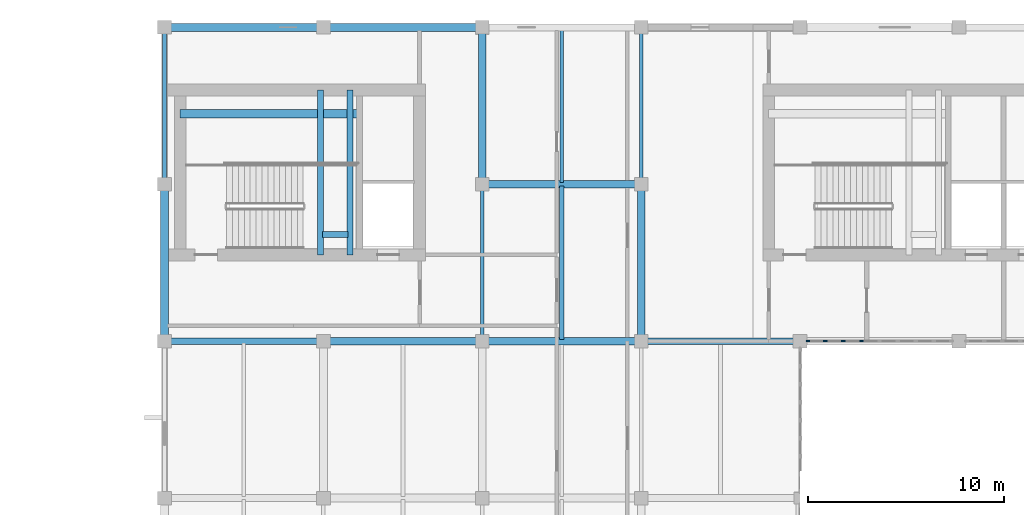
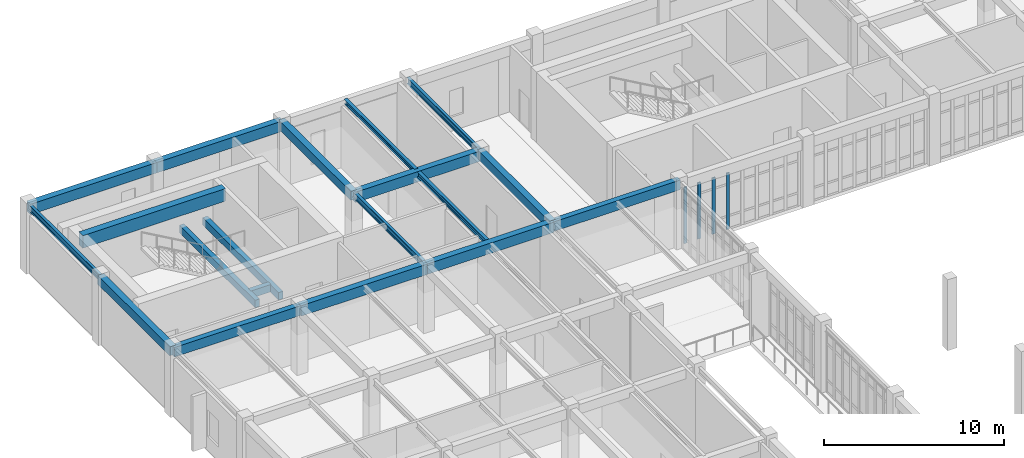
# One storey, part 13 of 61: 19 beams, 4 members, 1 element without a shape of its own.
"""IFC4 building model written with IfcOpenShell, lengths in metres."""

from ifc_helpers import new_model, si_unit, direction, frame, origin, origin_2d, place, context, subcontext, project, spatial, rectangle, i_section, extrude, material, material_profile, profile_set, type_object, element, aggregate, save


model = new_model("IFC4")

# Units and contexts
model_context = context("Model", 3, precision=1e-05, world=origin(), true_north=direction((0.0, 1.0)))
body_context = subcontext(model_context, "Body", "Model", "MODEL_VIEW")
ifc_project = project(units=[si_unit("LENGTHUNIT", "METRE"), si_unit("AREAUNIT", "SQUARE_METRE"), si_unit("VOLUMEUNIT", "CUBIC_METRE"), si_unit("PLANEANGLEUNIT", "RADIAN"), si_unit("MASSUNIT", "GRAM", prefix="KILO")], contexts=[model_context])

# Site, building, storey
site_placement = place(None, origin())
site = spatial("IfcSite", under=ifc_project, at=site_placement, CompositionType="ELEMENT")
building_placement = place(site_placement, origin())
building = spatial("IfcBuilding", under=site, at=building_placement, Name="Tarnveldt Square Police Headquarters", CompositionType="ELEMENT")
storey_placement = place(building_placement, frame((0.0, 0.0, 5.39990234375)))
storey = spatial("IfcBuildingStorey", under=building, at=storey_placement, Name="L01", CompositionType="ELEMENT", Elevation=5.39990234375)

# Beams
ifc_material_1 = material(Name="Concrete 50 MPa", Category="concrete")
ifc_material_profile_1 = material_profile(ifc_material_1, rectangle(XDim=0.449951171875, YDim=0.85009765625, at=origin_2d()), Name="RC-CB450x850")
ifc_profile_set_1 = profile_set([ifc_material_profile_1], Name="Concrete 50 MPa")
beam_type_1 = type_object("IfcBeamType", Name="BM-CB450x850", PredefinedType="BEAM", material=ifc_profile_set_1)
beam_1_placement = place(storey_placement, frame((17.0, 107.60009765625, 4.375), z_axis=(1.0, 0.0, 0.0), x_axis=(0.0, 1.0, 0.0)))
element("IfcBeam", 1, at=beam_1_placement, inside=storey, type_object=beam_type_1, Name="Core K2 North-West Operations Core L01 Ductile Coupling Beam", PredefinedType="BEAM", context=body_context, shape_type="SweptSolid", body=[
    extrude(rectangle(XDim=0.449951171875, YDim=0.85009765625, at=origin_2d()), origin(), (0.0, 0.0, 1.0), 9.14990234375),
])
ifc_material_2 = material(Name="Concrete 40 MPa", Category="concrete")
ifc_material_profile_2 = material_profile(ifc_material_2, rectangle(XDim=0.300048828125, YDim=0.5, at=origin_2d()), Name="RC-B300x500")
ifc_profile_set_2 = profile_set([ifc_material_profile_2], Name="Concrete 40 MPa")
beam_type_2 = type_object("IfcBeamType", Name="BM-RC300x500", PredefinedType="BEAM", material=ifc_profile_set_2)
beam_2_placement = place(storey_placement, frame((24.14990234375, 100.39990234375, 1.9501953125), z_axis=(0.0, 1.0, 0.0), x_axis=(-1.0, 0.0, 0.0)))
element("IfcBeam", 2, at=beam_2_placement, inside=storey, type_object=beam_type_2, Name="ST2 L01 Half-Landing Support Beam 1", PredefinedType="BEAM", context=body_context, shape_type="SweptSolid", body=[
    extrude(rectangle(XDim=0.300048828125, YDim=0.5, at=origin_2d()), origin(), (0.0, 0.0, 1.0), 8.400146484375),
])
beam_3_placement = place(storey_placement, frame((24.25, 101.449951171875, 1.9501953125), z_axis=(1.0, 0.0, 0.0), x_axis=(0.0, 1.0, 0.0)))
element("IfcBeam", 3, at=beam_3_placement, inside=storey, type_object=beam_type_2, Name="ST2 L01 Half-Landing Support Beam 2", PredefinedType="BEAM", context=body_context, shape_type="SweptSolid", body=[
    extrude(rectangle(XDim=0.300048828125, YDim=0.5, at=origin_2d()), origin(), (0.0, 0.0, 1.0), 1.300048828125),
])
beam_4_placement = place(storey_placement, frame((25.64990234375, 100.39990234375, 1.9501953125), z_axis=(0.0, 1.0, 0.0), x_axis=(-1.0, 0.0, 0.0)))
element("IfcBeam", 4, at=beam_4_placement, inside=storey, type_object=beam_type_2, Name="ST2 L01 Half-Landing Transverse Support Beam", PredefinedType="BEAM", context=body_context, shape_type="SweptSolid", body=[
    extrude(rectangle(XDim=0.300048828125, YDim=0.5, at=origin_2d()), origin(), (0.0, 0.0, 1.0), 8.400146484375),
])
ifc_material_profile_3 = material_profile(ifc_material_2, rectangle(XDim=0.39990234375, YDim=0.60009765625, at=origin_2d()), Name="RC-B400x600")
ifc_profile_set_3 = profile_set([ifc_material_profile_3], Name="Concrete 40 MPa")
beam_type_3 = type_object("IfcBeamType", Name="BM-RC400x600", PredefinedType="BEAM", material=ifc_profile_set_3)
for number, where, z_axis, x_axis, name in (
    (5, (16.199951171875, 96.0, 4.22021484375), (0.0, 1.0, 0.0), (-1.0, 0.0, 0.0), "L02 Grid Girder Y-0583"),
    (6, (32.39990234375, 104.0, 4.22021484375), (0.0, 1.0, 0.0), (-1.0, 0.0, 0.0), "L02 Grid Girder Y-0603"),
    (7, (40.5, 96.0, 4.22021484375), (0.0, 1.0, 0.0), (-1.0, 0.0, 0.0), "L02 Grid Girder Y-0615"),
):
    element("IfcBeam", number, at=place(storey_placement, frame(where, z_axis=z_axis, x_axis=x_axis)), inside=storey, type_object=beam_type_3, Name=name, PredefinedType="BEAM", context=body_context, shape_type="SweptSolid", body=[
        extrude(rectangle(XDim=0.39990234375, YDim=0.60009765625, at=origin_2d()), origin(), (0.0, 0.0, 1.0), 8.0),
    ])
ifc_material_profile_4 = material_profile(ifc_material_2, rectangle(XDim=0.39990234375, YDim=0.699951171875, at=origin_2d()), Name="RC-B400x700")
ifc_profile_set_4 = profile_set([ifc_material_profile_4], Name="Concrete 40 MPa")
beam_type_4 = type_object("IfcBeamType", Name="BM-RC400x700", PredefinedType="BEAM", material=ifc_profile_set_4)
beam_5_placement = place(storey_placement, frame((24.300048828125, 96.0, 4.170166015625), z_axis=(1.0, 0.0, 0.0), x_axis=(0.0, 1.0, 0.0)))
element("IfcBeam", 8, at=beam_5_placement, inside=storey, type_object=beam_type_4, Name="L02 Grid Girder X-0536", PredefinedType="BEAM", context=body_context, shape_type="SweptSolid", body=[
    extrude(rectangle(XDim=0.39990234375, YDim=0.699951171875, at=origin_2d()), origin(), (0.0, 0.0, 1.0), 8.099853515625),
])
for number, where, z_axis, x_axis, name in (
    (9, (32.39990234375, 96.0, 4.170166015625), (1.0, 0.0, 0.0), (0.0, 1.0, 0.0), "L02 Grid Girder X-0537"),
    (10, (32.39990234375, 104.0, 4.170166015625), (1.0, 0.0, 0.0), (0.0, 1.0, 0.0), "L02 Grid Girder X-0548"),
    (11, (16.199951171875, 112.0, 4.170166015625), (1.0, 0.0, 0.0), (0.0, 1.0, 0.0), "L02 Grid Girder X-0554"),
):
    element("IfcBeam", number, at=place(storey_placement, frame(where, z_axis=z_axis, x_axis=x_axis)), inside=storey, type_object=beam_type_4, Name=name, PredefinedType="BEAM", context=body_context, shape_type="SweptSolid", body=[
        extrude(rectangle(XDim=0.39990234375, YDim=0.699951171875, at=origin_2d()), origin(), (0.0, 0.0, 1.0), 8.10009765625),
    ])
beam_6_placement = place(storey_placement, frame((24.300048828125, 112.0, 4.170166015625), z_axis=(1.0, 0.0, 0.0), x_axis=(0.0, 1.0, 0.0)))
element("IfcBeam", 12, at=beam_6_placement, inside=storey, type_object=beam_type_4, Name="L02 Grid Girder X-0555", PredefinedType="BEAM", context=body_context, shape_type="SweptSolid", body=[
    extrude(rectangle(XDim=0.39990234375, YDim=0.699951171875, at=origin_2d()), origin(), (0.0, 0.0, 1.0), 8.099853515625),
])
ifc_material_profile_5 = material_profile(ifc_material_2, rectangle(XDim=0.35009765625, YDim=0.64990234375, at=origin_2d()), Name="RC-SP350x650")
ifc_profile_set_5 = profile_set([ifc_material_profile_5], Name="Concrete 40 MPa")
beam_type_5 = type_object("IfcBeamType", Name="BM-SP350x650", PredefinedType="SPANDREL", material=ifc_profile_set_5)
for number, where, z_axis, x_axis, name in (
    (13, (16.199951171875, 96.0, 4.195068359375), (1.0, 0.0, 0.0), (0.0, 1.0, 0.0), "L02 Grid Girder X-0535"),
    (14, (40.5, 96.0, 4.195068359375), (1.0, 0.0, 0.0), (0.0, 1.0, 0.0), "L02 Grid Girder X-0538"),
):
    element("IfcBeam", number, at=place(storey_placement, frame(where, z_axis=z_axis, x_axis=x_axis)), inside=storey, type_object=beam_type_5, Name=name, PredefinedType="SPANDREL", context=body_context, shape_type="SweptSolid", body=[
        extrude(rectangle(XDim=0.35009765625, YDim=0.64990234375, at=origin_2d()), origin(), (0.0, 0.0, 1.0), 8.10009765625),
    ])
ifc_material_3 = material(Name="Steel 350W", Category="steel")
ifc_material_profile_6 = material_profile(ifc_material_3, i_section(OverallWidth=0.202880859375, OverallDepth=0.302978515625, WebThickness=0.007568359375, FlangeThickness=0.01318359375, FilletRadius=0.014892578125, at=origin_2d()), Name="W310x60")
ifc_profile_set_6 = profile_set([ifc_material_profile_6], Name="Steel 350W")
beam_type_6 = type_object("IfcBeamType", Name="BM-W310x60", PredefinedType="JOIST", material=ifc_profile_set_6)
beam_7_placement = place(storey_placement, frame((36.449951171875, 104.080078125, 4.36865234375), z_axis=(0.0, 1.0, 0.0), x_axis=(-1.0, 0.0, 0.0)))
element("IfcBeam", 15, at=beam_7_placement, inside=storey, type_object=beam_type_6, Name="L02 Secondary Floor Joist 0140", PredefinedType="JOIST", context=body_context, shape_type="SweptSolid", body=[
    extrude(i_section(OverallWidth=0.202880859375, OverallDepth=0.302978515625, WebThickness=0.007568359375, FlangeThickness=0.01318359375, FilletRadius=0.014892578125, at=origin_2d()), origin(), (0.0, 0.0, 1.0), 7.83984375),
])
ifc_material_profile_7 = material_profile(ifc_material_3, i_section(OverallWidth=0.205078125, OverallDepth=0.35400390625, WebThickness=0.009521484375, FlangeThickness=0.016845703125, FilletRadius=0.01611328125, at=origin_2d()), Name="W360x79")
ifc_profile_set_7 = profile_set([ifc_material_profile_7], Name="Steel 350W")
beam_type_7 = type_object("IfcBeamType", Name="BM-W360x79", PredefinedType="JOIST", material=ifc_profile_set_7)
beam_8_placement = place(storey_placement, frame((36.449951171875, 96.080078125, 4.343017578125), z_axis=(0.0, 1.0, 0.0), x_axis=(-1.0, 0.0, 0.0)))
element("IfcBeam", 16, at=beam_8_placement, inside=storey, type_object=beam_type_7, Name="L02 Secondary Floor Joist 0134", PredefinedType="JOIST", context=body_context, shape_type="SweptSolid", body=[
    extrude(i_section(OverallWidth=0.205078125, OverallDepth=0.35400390625, WebThickness=0.009521484375, FlangeThickness=0.016845703125, FilletRadius=0.01611328125, at=origin_2d()), origin(), (0.0, 0.0, 1.0), 7.83984375),
])
ifc_material_profile_8 = material_profile(ifc_material_3, i_section(OverallWidth=0.180908203125, OverallDepth=0.4169921875, WebThickness=0.010986328125, FlangeThickness=0.018310546875, FilletRadius=0.01611328125, at=origin_2d()), Name="W410x85")
ifc_profile_set_8 = profile_set([ifc_material_profile_8], Name="Steel 350W")
beam_type_8 = type_object("IfcBeamType", Name="BM-W410x85", PredefinedType="BEAM", material=ifc_profile_set_8)
for number, where, z_axis, x_axis, name in (
    (17, (16.199951171875, 104.0, 4.3115234375), (0.0, 1.0, 0.0), (-1.0, 0.0, 0.0), "L02 Grid Girder Y-0584"),
    (18, (32.39990234375, 96.0, 4.3115234375), (0.0, 1.0, 0.0), (-1.0, 0.0, 0.0), "L02 Grid Girder Y-0602"),
    (19, (40.5, 104.0, 4.3115234375), (0.0, 1.0, 0.0), (-1.0, 0.0, 0.0), "L02 Grid Girder Y-0616"),
):
    element("IfcBeam", number, at=place(storey_placement, frame(where, z_axis=z_axis, x_axis=x_axis)), inside=storey, type_object=beam_type_8, Name=name, PredefinedType="BEAM", context=body_context, shape_type="SweptSolid", body=[
        extrude(i_section(OverallWidth=0.180908203125, OverallDepth=0.4169921875, WebThickness=0.010986328125, FlangeThickness=0.018310546875, FilletRadius=0.01611328125, at=origin_2d()), origin(), (0.0, 0.0, 1.0), 8.0),
    ])

# Curtain wall, members
ifc_material_4 = material(Name="Triple-glazed low-e laminated vision glass", Category="glass")
curtain_wall_type = type_object("IfcCurtainWallType", Name="CW-LB-737x381", PredefinedType="USERDEFINED", material=ifc_material_4)
curtain_wall_placement = place(storey_placement, origin())
curtain_wall = element("IfcCurtainWall", 20, at=curtain_wall_placement, inside=storey, type_object=curtain_wall_type, Name="L01 Curtain Wall CW-L01-105", ObjectType="GLAZED CURTAIN WALL", PredefinedType="USERDEFINED")
ifc_material_5 = material(Name="Thermally broken anodised aluminium 6063-T6", Category="aluminium")
ifc_material_profile_9 = material_profile(ifc_material_5, rectangle(XDim=0.074951171875, YDim=0.199951171875, at=origin_2d()), Name="CW-M75x200")
ifc_profile_set_9 = profile_set([ifc_material_profile_9], Name="Thermally broken anodised aluminium 6063-T6")
member_type = type_object("IfcMemberType", Name="CWM-75x200", PredefinedType="MULLION", material=ifc_profile_set_9)
member_1_placement = place(storey_placement, frame((49.00244140625, 96.0, 0.0), z_axis=(0.0, 0.0, 1.0), x_axis=(0.0, 1.0, 0.0)))
member_1 = element("IfcMember", 21, at=member_1_placement, type_object=member_type, Name="CW-LB60 mullion 1", PredefinedType="MULLION", context=body_context, shape_type="SweptSolid", body=[
    extrude(rectangle(XDim=0.074951171875, YDim=0.199951171875, at=origin_2d()), origin(), (0.0, 0.0, 1.0), 3.81201171875),
])
member_2_placement = place(storey_placement, frame((49.88623046875, 96.0, 0.0), z_axis=(0.0, 0.0, 1.0), x_axis=(0.0, 1.0, 0.0)))
member_2 = element("IfcMember", 22, at=member_2_placement, type_object=member_type, Name="CW-LB60 mullion 2", PredefinedType="MULLION", context=body_context, shape_type="SweptSolid", body=[
    extrude(rectangle(XDim=0.074951171875, YDim=0.199951171875, at=origin_2d()), origin(), (0.0, 0.0, 1.0), 3.81201171875),
])
member_3_placement = place(storey_placement, frame((50.8076171875, 96.0, 0.0), z_axis=(0.0, 0.0, 1.0), x_axis=(0.0, 1.0, 0.0)))
member_3 = element("IfcMember", 23, at=member_3_placement, type_object=member_type, Name="CW-LB60 mullion 3", PredefinedType="MULLION", context=body_context, shape_type="SweptSolid", body=[
    extrude(rectangle(XDim=0.074951171875, YDim=0.199951171875, at=origin_2d()), origin(), (0.0, 0.0, 1.0), 3.81201171875),
])
member_4_placement = place(storey_placement, frame((51.728759765625, 96.0, 0.0), z_axis=(0.0, 0.0, 1.0), x_axis=(0.0, 1.0, 0.0)))
member_4 = element("IfcMember", 24, at=member_4_placement, type_object=member_type, Name="CW-LB60 mullion 4", PredefinedType="MULLION", context=body_context, shape_type="SweptSolid", body=[
    extrude(rectangle(XDim=0.074951171875, YDim=0.199951171875, at=origin_2d()), origin(), (0.0, 0.0, 1.0), 3.81201171875),
])
aggregate(curtain_wall, [member_1, member_2, member_3, member_4])

save(model, "model.ifc")
